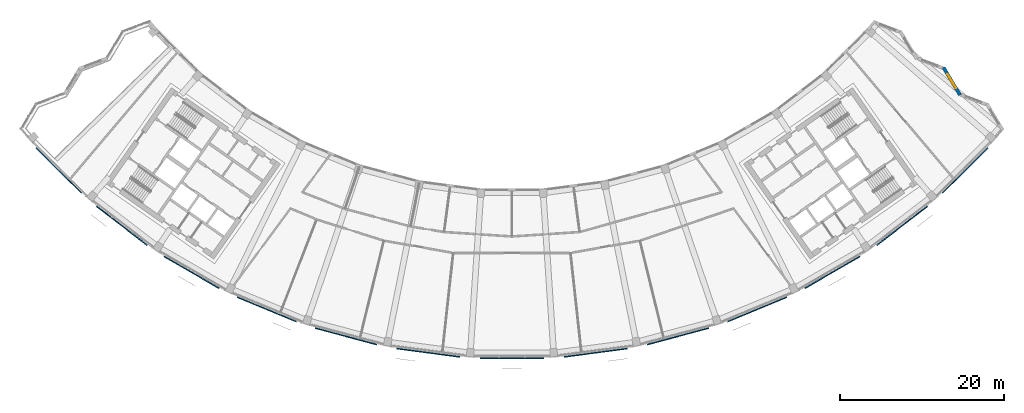
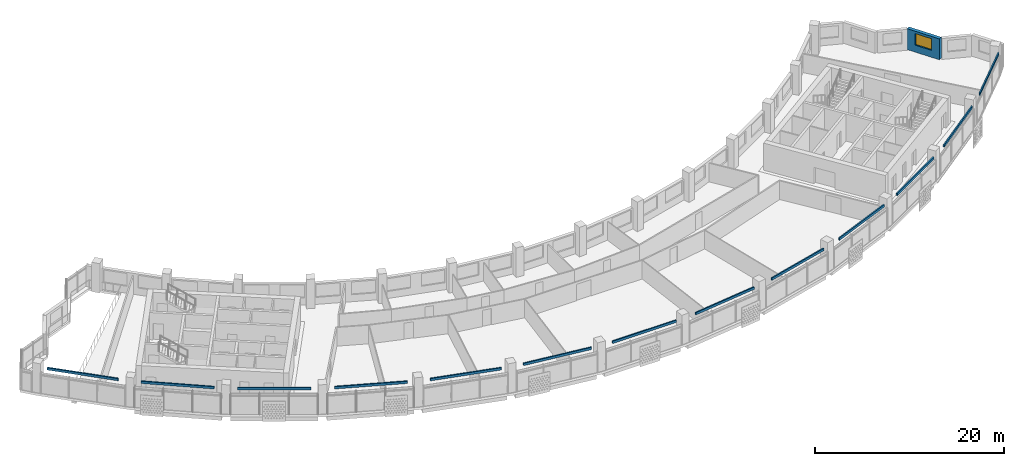
# One storey, part 8 of 29: 13 discrete accessories, 1 wall, 1 window, 1 opening.
"""IFC4 building model written with IfcOpenShell, lengths in metres."""

from ifc_helpers import new_model, si_unit, direction, frame, frame_2d, origin, origin_2d, place, context, subcontext, project, spatial, rectangle, extrude, material, layer, layer_set, type_object, element, fill, save


model = new_model("IFC4")

# Units and contexts
model_context = context("Model", 3, precision=1e-05, world=origin(), true_north=direction((0.0, 1.0)))
body_context = subcontext(model_context, "Body", "Model", "MODEL_VIEW")
ifc_project = project(units=[si_unit("LENGTHUNIT", "METRE"), si_unit("AREAUNIT", "SQUARE_METRE"), si_unit("VOLUMEUNIT", "CUBIC_METRE"), si_unit("PLANEANGLEUNIT", "RADIAN"), si_unit("MASSUNIT", "GRAM", prefix="KILO")], contexts=[model_context])

# Site, building, storey
site_placement = place(None, origin())
site = spatial("IfcSite", under=ifc_project, at=site_placement, CompositionType="ELEMENT")
building_placement = place(site_placement, origin())
building = spatial("IfcBuilding", under=site, at=building_placement, Name="Qamariyya Broadcast Tower", CompositionType="ELEMENT")
storey_placement = place(building_placement, frame((0.0, 0.0, 261.89990234375)))
storey = spatial("IfcBuildingStorey", under=building, at=storey_placement, Name="L63", CompositionType="ELEMENT", Elevation=261.89990234375)

# Wall, opening, window
ifc_material_1 = material(Name="Terracotta", Category="masonry")
ifc_layer = layer(ifc_material_1, 0.39990234375)
ifc_layer_set = layer_set([ifc_layer], Name="Terracotta clad wall 400")
wall_type = type_object("IfcWallType", Name="Terracotta clad wall 400", PredefinedType="SOLIDWALL", material=ifc_layer_set)
wall_placement = place(storey_placement, frame((54.7236328125, -46.123779296875, 0.0), z_axis=(0.0, 0.0, 1.0), x_axis=(-0.514339754025, 0.857586507257, 0.0)))
wall = element("IfcWall", 1, at=wall_placement, inside=storey, type_object=wall_type, Name="e-wl-L63-capE2", PredefinedType="SOLIDWALL", context=body_context, shape_type="SweptSolid", body=[
    extrude(rectangle(XDim=3.91259765625, YDim=0.39990234375, at=frame_2d((1.956298828125, 0.0))), origin(), (0.0, 0.0, 1.0), 2.7001953125),
])
opening_placement = place(wall_placement, frame((0.956298828125, 0.0, 0.89990234375)))
opening = element("IfcOpeningElement", 2, at=opening_placement, cuts=wall, Name="Opening W4", PredefinedType="OPENING", context=body_context, shape_type="SweptSolid", body=[
    extrude(rectangle(XDim=2.0, YDim=1.5, at=frame_2d((1.0, 0.75))), frame((0.0, 0.2099609375, 0.0), z_axis=(0.0, -1.0, 0.0), x_axis=(1.0, 0.0, 0.0)), (0.0, 0.0, 1.0), 0.419921875),
])
ifc_material_2 = material(Name="Clear low-e double glazed unit in aluminium frame", Category="aluminium")
window_type = type_object("IfcWindowType", Name="Horn bay window 2000 x 1500", PartitioningType="SINGLE_PANEL", PredefinedType="WINDOW", material=ifc_material_2)
window_placement = place(opening_placement, origin())
window = element("IfcWindow", 3, at=window_placement, inside=storey, type_object=window_type, Name="e-w-L63-capE2", OverallHeight=1.5, OverallWidth=2.0, PartitioningType="SINGLE_PANEL", PredefinedType="WINDOW", context=body_context, shape_type="SweptSolid", body=[
    extrude(rectangle(XDim=2.0, YDim=1.5, at=frame_2d((1.0, 0.75))), frame((0.0, 0.030029296875, 0.0), z_axis=(0.0, -1.0, 0.0), x_axis=(1.0, 0.0, 0.0)), (0.0, 0.0, 1.0), 0.06005859375),
])
fill(opening, window)

# Discrete accessories
ifc_material_3 = material(Name="Stainless steel 316", Category="steel")
discrete_accessory_type = type_object("IfcDiscreteAccessoryType", Name="Slab edge fixing angle, stainless steel", PredefinedType="BRACKET", material=ifc_material_3)
for number, where, z_axis, x_axis, name in (
    (4, (-55.336181640625, -55.336181640625, 3.30029296875), (0.0, 0.0, 1.0), (0.707106781187, -0.707106781187, 0.0), "e-br-L63-01-0"),
    (5, (-47.639892578125, -62.085693359375, 3.30029296875), (0.0, 0.0, 1.0), (0.793353340291, -0.608761429009, 0.0), "e-br-L63-02-0"),
    (6, (-39.128662109375, -67.772705078125, 3.30029296875), (0.0, 0.0, 1.0), (0.866025403784, -0.5, 0.0), "e-br-L63-03-0"),
    (7, (-29.94775390625, -72.30029296875, 3.30029296875), (0.0, 0.0, 1.0), (0.923879532511, -0.382683432365, 0.0), "e-br-L63-04-0"),
    (8, (-20.25439453125, -75.590576171875, 3.30029296875), (0.0, 0.0, 1.0), (0.965925826289, -0.258819045103, 0.0), "e-br-L63-05-0"),
    (9, (-10.214599609375, -77.587646484375, 3.30029296875), (0.0, 0.0, 1.0), (0.991444861374, -0.13052619222, 0.0), "e-br-L63-06-0"),
    (10, (0.0, -78.25732421875, 3.30029296875), (0.0, 0.0, 1.0), (1.0, 0.0, 0.0), "e-br-L63-07-0"),
    (11, (10.214599609375, -77.587646484375, 3.30029296875), (0.0, 0.0, 1.0), (0.991444861374, 0.13052619222, 0.0), "e-br-L63-08-0"),
    (12, (20.25439453125, -75.590576171875, 3.30029296875), (0.0, 0.0, 1.0), (0.965925826289, 0.258819045103, 0.0), "e-br-L63-09-0"),
    (13, (29.94775390625, -72.30029296875, 3.30029296875), (0.0, 0.0, 1.0), (0.923879532511, 0.382683432365, 0.0), "e-br-L63-10-0"),
    (14, (39.128662109375, -67.772705078125, 3.30029296875), (0.0, 0.0, 1.0), (0.866025403784, 0.5, 0.0), "e-br-L63-11-0"),
    (15, (47.639892578125, -62.085693359375, 3.30029296875), (0.0, 0.0, 1.0), (0.793353340291, 0.608761429009, 0.0), "e-br-L63-12-0"),
    (16, (55.336181640625, -55.336181640625, 3.30029296875), (0.0, 0.0, 1.0), (0.707106781187, 0.707106781187, 0.0), "e-br-L63-13-0"),
):
    element("IfcDiscreteAccessory", number, at=place(storey_placement, frame(where, z_axis=z_axis, x_axis=x_axis)), inside=storey, type_object=discrete_accessory_type, Name=name, PredefinedType="BRACKET", context=body_context, shape_type="SweptSolid", body=[
        extrude(rectangle(XDim=7.78662109375, YDim=0.14990234375, at=origin_2d()), origin(), (0.0, 0.0, 1.0), 0.300048828125),
    ])

save(model, "model.ifc")
